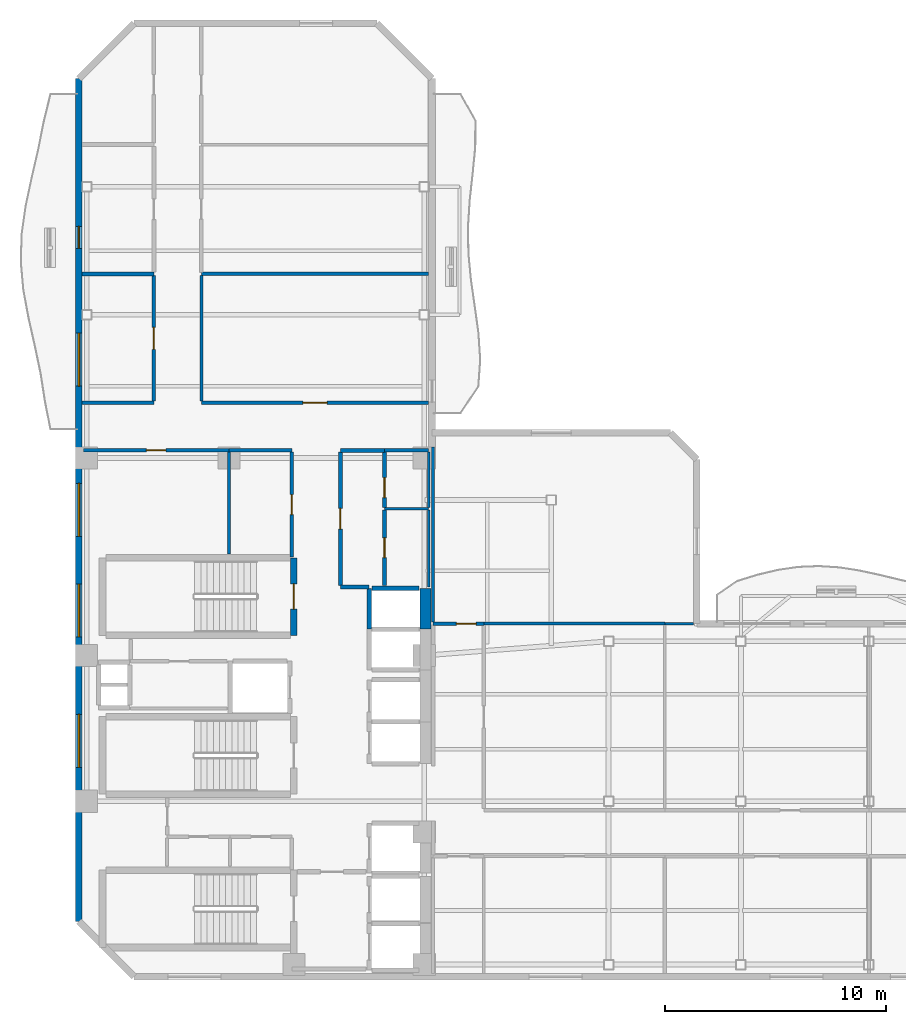
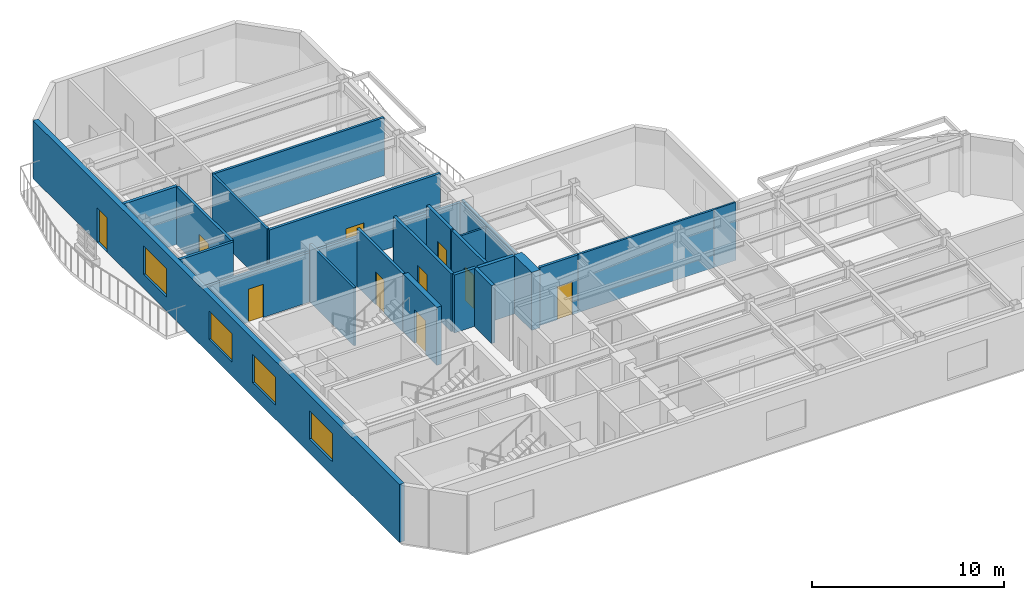
# One storey, part 4 of 9: 28 walls, 10 doors, 4 windows, 14 openings.
"""IFC4 building model written with IfcOpenShell, lengths in metres."""

import ifcopenshell
import ifcopenshell.guid

model = None  # the IFC model being written
_history = None  # IfcOwnerHistory: only IFC2X3 demands one
_inside = {}  # id of a spatial element -> (the spatial element, [elements in it])
_under = {}  # id of a project, library or spatial element -> (it, [spatial elements below it])
_declared = {}  # id of a project -> (the project, [libraries it declares])
_typed = {}  # id of a type object -> (the type object, [elements of that type])
_made_of = {}  # id of a material, layer set ... -> (it, [elements and type objects made of it])


def new_model(schema):
    """Start an empty IFC model of exactly this schema.

    Asked for "IFC4X3", IfcOpenShell would pick the latest addendum, in which some entities
    have other attributes; the version numbers below select the first issue.
    IFC2X3 requires an IfcOwnerHistory on every rooted entity: one is made here for all.
    """
    global model, _history
    if schema == "IFC4X3":
        model = ifcopenshell.file(schema_version=(4, 3, 0, 0))
    else:
        model = ifcopenshell.file(schema=schema)
    _inside.clear()
    _under.clear()
    _declared.clear()
    _typed.clear()
    _made_of.clear()
    _history = None
    if model.schema == "IFC2X3":
        org = make("IfcOrganization", Name="unknown")
        user = make(
            "IfcPersonAndOrganization",
            ThePerson=make("IfcPerson", FamilyName="unknown"),
            TheOrganization=org,
        )
        app = make(
            "IfcApplication",
            ApplicationDeveloper=org,
            Version="unknown",
            ApplicationFullName="unknown",
            ApplicationIdentifier="unknown",
        )
        _history = make(
            "IfcOwnerHistory",
            OwningUser=user,
            OwningApplication=app,
            ChangeAction="ADDED",
            CreationDate=0,
        )
    return model


def make(cls, **values):
    """One entity of the class cls with the attributes given. An attribute that is None is left unset."""
    return model.create_entity(
        cls, **{name: value for name, value in values.items() if value is not None}
    )


def rooted(cls, **values):
    """An entity with a GlobalId (a new one), such as an element, a storey or a relation."""
    return make(cls, GlobalId=ifcopenshell.guid.new(), OwnerHistory=_history, **values)


def si_unit(unit_type, name, prefix=None):
    """IfcSIUnit, for example si_unit("LENGTHUNIT", "METRE", prefix="MILLI")."""
    return make("IfcSIUnit", UnitType=unit_type, Prefix=prefix, Name=name)


def assignment(units):
    """IfcUnitAssignment: the units of a project."""
    return None if units is None else make("IfcUnitAssignment", Units=units)


def point(xyz):
    """IfcCartesianPoint."""
    return None if xyz is None else make("IfcCartesianPoint", Coordinates=xyz)


def direction(xyz):
    """IfcDirection."""
    return None if xyz is None else make("IfcDirection", DirectionRatios=xyz)


def frame(location, z_axis=None, x_axis=None):
    """IfcAxis2Placement3D, a coordinate frame: its origin and axes. An axis left out is left unset."""
    return make(
        "IfcAxis2Placement3D",
        Location=point(location),
        Axis=direction(z_axis),
        RefDirection=direction(x_axis),
    )


def frame_2d(location, x_axis=None):
    """IfcAxis2Placement2D, a coordinate frame in the plane: its origin and x axis."""
    return make(
        "IfcAxis2Placement2D", Location=point(location), RefDirection=direction(x_axis)
    )


def origin():
    """The frame at (0, 0, 0) with its axes left unset."""
    return frame((0.0, 0.0, 0.0))


def place(relative_to, where):
    """IfcLocalPlacement: puts the frame where relative to a parent placement (None: the world)."""
    return make(
        "IfcLocalPlacement", PlacementRelTo=relative_to, RelativePlacement=where
    )


def context(
    kind, dimensions, precision=None, world=None, true_north=None, identifier=None
):
    """IfcGeometricRepresentationContext, for example the 3D "Model" context."""
    return make(
        "IfcGeometricRepresentationContext",
        ContextIdentifier=identifier,
        ContextType=kind,
        CoordinateSpaceDimension=dimensions,
        Precision=precision,
        WorldCoordinateSystem=world,
        TrueNorth=true_north,
    )


def subcontext(parent, identifier, kind, view, scale=None):
    """IfcGeometricRepresentationSubContext, for example "Body" below "Model"."""
    return make(
        "IfcGeometricRepresentationSubContext",
        ContextIdentifier=identifier,
        ContextType=kind,
        ParentContext=parent,
        TargetScale=scale,
        TargetView=view,
    )


def project(units=None, contexts=None):
    """IfcProject with its units and contexts."""
    return rooted(
        "IfcProject",
        Name="project",
        RepresentationContexts=contexts,
        UnitsInContext=assignment(units),
    )


def spatial(cls, under=None, at=None, **own):
    """A site, building, storey or space (cls), placed at a placement, below another one or the project."""
    s = rooted(cls, ObjectPlacement=at, **own)
    if under is not None:
        _under.setdefault(under.id(), (under, []))[1].append(s)
    return s


def profile(cls, at=None, kind="AREA", **sizes):
    """A parametric profile (cls). Its sizes go by their IFC names, for example OverallWidth=200.0."""
    return make(cls, ProfileType=kind, Position=at, **sizes)


def rectangle(**sizes):
    """IfcRectangleProfileDef."""
    return profile("IfcRectangleProfileDef", **sizes)


def extrude(swept, where, along, depth):
    """IfcExtrudedAreaSolid: the profile swept, set in the frame where, extruded along a direction by depth."""
    return make(
        "IfcExtrudedAreaSolid",
        SweptArea=swept,
        Position=where,
        ExtrudedDirection=direction(along),
        Depth=depth,
    )


def shape(context_of_items, identifier, shape_type, items):
    """IfcShapeRepresentation: the items that make up one representation, for example the "Body"."""
    return make(
        "IfcShapeRepresentation",
        ContextOfItems=context_of_items,
        RepresentationIdentifier=identifier,
        RepresentationType=shape_type,
        Items=items,
    )


def material(Name=None, Category=None):
    """IfcMaterial."""
    return make("IfcMaterial", Name=Name, Category=Category)


def layer(
    of_material, thickness, ventilated=None, Name=None, Category=None, Priority=None
):
    """IfcMaterialLayer: one layer of a wall or slab, of a material (None: an air gap)."""
    return make(
        "IfcMaterialLayer",
        Material=of_material,
        LayerThickness=thickness,
        IsVentilated=ventilated,
        Name=Name,
        Category=Category,
        Priority=Priority,
    )


def layer_set(layers, Name=None):
    """IfcMaterialLayerSet."""
    return make("IfcMaterialLayerSet", MaterialLayers=layers, LayerSetName=Name)


def made_of(thing, what):
    """Note that an element or type object is made of a material, layer set ...; save() writes the relation."""
    if what is not None:
        _made_of.setdefault(what.id(), (what, []))[1].append(thing)
    return thing


def type_object(cls, material=None, **own):
    """A type object (cls), such as IfcWallType, which elements share."""
    return made_of(rooted(cls, **own), material)


def element(
    cls,
    number,
    at=None,
    inside=None,
    cuts=None,
    type_object=None,
    material=None,
    context=None,
    identifier="Body",
    shape_type=None,
    held_by="IfcProductDefinitionShape",
    body=None,
    shapes=None,
    **own,
):
    """One element of the class cls, such as IfcWall. Its Tag is "e" and its number.

    at: its placement. inside: the storey or other place that contains it. cuts: it is an
    opening in that element (IfcRelVoidsElement). A single representation is given by context,
    identifier, shape_type and body (its items); several are given by shapes. held_by: the class
    of the entity that holds the representations. save() writes the other relations.
    """
    e = rooted(cls, Tag="e%d" % number, ObjectPlacement=at, **own)
    if body is not None:
        shapes = [shape(context, identifier, shape_type, body)]
    if shapes is not None:
        e.Representation = make(held_by, Representations=shapes)
    if inside is not None:
        _inside.setdefault(inside.id(), (inside, []))[1].append(e)
    if cuts is not None:
        rooted(
            "IfcRelVoidsElement", RelatingBuildingElement=cuts, RelatedOpeningElement=e
        )
    if type_object is not None:
        _typed.setdefault(type_object.id(), (type_object, []))[1].append(e)
    return made_of(e, material)


def fill(opening, filler):
    """IfcRelFillsElement: the door or window that sits in an opening."""
    return rooted(
        "IfcRelFillsElement",
        RelatingOpeningElement=opening,
        RelatedBuildingElement=filler,
    )


def aggregate(whole, parts):
    """IfcRelAggregates: a whole, such as a stair, and the parts it consists of."""
    return rooted("IfcRelAggregates", RelatingObject=whole, RelatedObjects=parts)


def save(model, path):
    """Write the relations noted so far, then the file.

    IfcRelAggregates (storeys below a building ...), IfcRelContainedInSpatialStructure (elements
    in a storey), IfcRelDefinesByType, IfcRelAssociatesMaterial and IfcRelDeclares: one each for
    every whole, place, type object, material and project.
    """
    for whole, parts in _under.values():
        aggregate(whole, parts)
    for where, things in _inside.values():
        rooted(
            "IfcRelContainedInSpatialStructure",
            RelatedElements=things,
            RelatingStructure=where,
        )
    for kind, things in _typed.values():
        rooted("IfcRelDefinesByType", RelatedObjects=things, RelatingType=kind)
    for what, things in _made_of.values():
        rooted("IfcRelAssociatesMaterial", RelatedObjects=things, RelatingMaterial=what)
    for by, libraries in _declared.values():
        rooted("IfcRelDeclares", RelatingContext=by, RelatedDefinitions=libraries)
    model.write(path)


model = new_model("IFC4")

# Units and contexts
model_context = context("Model", 3, precision=1e-05, world=origin(), true_north=direction((0.0, 1.0)))
body_context = subcontext(model_context, "Body", "Model", "MODEL_VIEW")
ifc_project = project(units=[si_unit("LENGTHUNIT", "METRE"), si_unit("AREAUNIT", "SQUARE_METRE"), si_unit("VOLUMEUNIT", "CUBIC_METRE"), si_unit("PLANEANGLEUNIT", "RADIAN"), si_unit("MASSUNIT", "GRAM", prefix="KILO")], contexts=[model_context])

# Site, building, storey
site_placement = place(None, origin())
site = spatial("IfcSite", under=ifc_project, at=site_placement, CompositionType="ELEMENT")
building_placement = place(site_placement, origin())
building = spatial("IfcBuilding", under=site, at=building_placement, Name="Mawjaban Terraces University", CompositionType="ELEMENT")
storey_placement = place(building_placement, frame((0.0, 0.0, 179.699951171875)))
storey = spatial("IfcBuildingStorey", under=building, at=storey_placement, Name="L43", CompositionType="ELEMENT", Elevation=179.699951171875)

# Walls
ifc_material_1 = material(Name="Acoustic masonry blockwork", Category="masonry")
ifc_layer_1 = layer(ifc_material_1, 0.179931640625)
ifc_layer_set_1 = layer_set([ifc_layer_1], Name="Acoustic masonry blockwork")
wall_type_1 = type_object("IfcWallType", Name="AcousticStudioWall_180", PredefinedType="PARTITIONING", material=ifc_layer_set_1)
wall_1_placement = place(storey_placement, frame((25.39990234375, 31.85009765625, 0.0), z_axis=(0.0, 0.0, 1.0), x_axis=(-1.0, 0.0, 0.0)))
element("IfcWall", 1, at=wall_1_placement, inside=storey, type_object=wall_type_1, Name="L43 Classroom 8 Partition 4", PredefinedType="PARTITIONING", context=body_context, shape_type="SweptSolid", body=[
    extrude(rectangle(XDim=3.2548828125, YDim=0.179931640625, at=frame_2d((1.62744140625, 0.0))), origin(), (0.0, 0.0, 1.0), 3.68994140625),
])
wall_2_placement = place(storey_placement, frame((33.85009765625, 17.64990234375, 0.0), z_axis=(0.0, 0.0, 1.0), x_axis=(1.0, 0.0, 0.0)))
element("IfcWall", 2, at=wall_2_placement, inside=storey, type_object=wall_type_1, Name="L43 Graduate Research Collaboration Studio Partition 11", PredefinedType="PARTITIONING", context=body_context, shape_type="SweptSolid", body=[
    extrude(rectangle(XDim=1.2998046875, YDim=0.179931640625, at=frame_2d((0.64990234375, 0.0))), origin(), (0.0, 0.0, 1.0), 3.68994140625),
])
wall_3_placement = place(storey_placement, frame((35.85009765625, 23.85009765625, 0.0), z_axis=(0.0, 0.0, 1.0), x_axis=(-1.0, 0.0, 0.0)))
element("IfcWall", 3, at=wall_3_placement, inside=storey, type_object=wall_type_1, Name="L43 Graduate Research Collaboration Studio Partition 14", PredefinedType="PARTITIONING", context=body_context, shape_type="SweptSolid", body=[
    extrude(rectangle(XDim=2.0, YDim=0.179931640625, at=frame_2d((1.0, 0.0))), origin(), (0.0, 0.0, 1.0), 3.14599609375),
])

# Wall, opening, door
wall_4_placement = place(storey_placement, frame((33.85009765625, 17.735107421875, 0.0), z_axis=(0.0, 0.0, 1.0), x_axis=(0.0, 1.0, 0.0)))
wall_4 = element("IfcWall", 4, at=wall_4_placement, inside=storey, type_object=wall_type_1, Name="L43 Core North Lift Lobby Partition 42", PredefinedType="PARTITIONING", context=body_context, shape_type="SweptSolid", body=[
    extrude(rectangle(XDim=6.02978515625, YDim=0.179931640625, at=frame_2d((3.014892578125, 0.0))), origin(), (0.0, 0.0, 1.0), 3.68994140625),
])
opening_1_placement = place(wall_4_placement, frame((2.5400390625, 0.0, 0.0)))
opening_1 = element("IfcOpeningElement", 5, at=opening_1_placement, cuts=wall_4, Name="Opening ID-095", PredefinedType="OPENING", context=body_context, shape_type="SweptSolid", body=[
    extrude(rectangle(XDim=0.949951171875, YDim=2.10009765625, at=frame_2d((0.47509765625, 1.050048828125))), frame((0.0, 0.099853515625, 0.0), z_axis=(0.0, -1.0, 0.0), x_axis=(1.0, 0.0, 0.0)), (0.0, 0.0, 1.0), 0.199951171875),
])
ifc_material_2 = material(Name="Powder-coated steel frame and solid acoustic timber leaf", Category="steel")
door_type_1 = type_object("IfcDoorType", Name="StudioDoor_950x2100", OperationType="NOTDEFINED", PredefinedType="DOOR", material=ifc_material_2)
door_1_placement = place(opening_1_placement, origin())
door_1 = element("IfcDoor", 6, at=door_1_placement, inside=storey, type_object=door_type_1, Name="L43 Graduate Research Collaboration Studio Door", OperationType="SINGLE_SWING_RIGHT", OverallHeight=2.10009765625, OverallWidth=0.949951171875, PredefinedType="DOOR", context=body_context, shape_type="SweptSolid", body=[
    extrude(rectangle(XDim=0.949951171875, YDim=2.10009765625, at=frame_2d((0.47509765625, 1.050048828125))), frame((0.0, 0.02490234375, 0.0), z_axis=(0.0, -1.0, 0.0), x_axis=(1.0, 0.0, 0.0)), (0.0, 0.0, 1.0), 0.050048828125),
])
fill(opening_1, door_1)

wall_5_placement = place(storey_placement, frame((35.85009765625, 17.72998046875, 0.0), z_axis=(0.0, 0.0, 1.0), x_axis=(0.0, 1.0, 0.0)))
wall_5 = element("IfcWall", 7, at=wall_5_placement, inside=storey, type_object=wall_type_1, Name="L43 Graduate Research Collaboration Studio Partition 43", PredefinedType="PARTITIONING", context=body_context, shape_type="SweptSolid", body=[
    extrude(rectangle(XDim=3.412109375, YDim=0.179931640625, at=frame_2d((1.7060546875, 0.0))), origin(), (0.0, 0.0, 1.0), 3.68994140625),
])
opening_2_placement = place(wall_5_placement, frame((1.256103515625, 0.0, 0.0)))
opening_2 = element("IfcOpeningElement", 8, at=opening_2_placement, cuts=wall_5, Name="Opening ID-090", PredefinedType="OPENING", context=body_context, shape_type="SweptSolid", body=[
    extrude(rectangle(XDim=0.89990234375, YDim=2.10009765625, at=frame_2d((0.449951171875, 1.050048828125))), frame((0.0, 0.099853515625, 0.0), z_axis=(0.0, -1.0, 0.0), x_axis=(1.0, 0.0, 0.0)), (0.0, 0.0, 1.0), 0.199951171875),
])
door_type_2 = type_object("IfcDoorType", Name="OfficeDoor_900x2100", OperationType="NOTDEFINED", PredefinedType="DOOR", material=ifc_material_2)
door_2_placement = place(opening_2_placement, origin())
door_2 = element("IfcDoor", 9, at=door_2_placement, inside=storey, type_object=door_type_2, Name="L43 Research Instrument Store Door", OperationType="SINGLE_SWING_RIGHT", OverallHeight=2.10009765625, OverallWidth=0.89990234375, PredefinedType="DOOR", context=body_context, shape_type="SweptSolid", body=[
    extrude(rectangle(XDim=0.89990234375, YDim=2.10009765625, at=frame_2d((0.449951171875, 1.050048828125))), frame((0.0, 0.02490234375, 0.0), z_axis=(0.0, -1.0, 0.0), x_axis=(1.0, 0.0, 0.0)), (0.0, 0.0, 1.0), 0.050048828125),
])
fill(opening_2, door_2)

wall_6_placement = place(storey_placement, frame((35.85009765625, 21.258056640625, 0.0), z_axis=(0.0, 0.0, 1.0), x_axis=(0.0, 1.0, 0.0)))
wall_6 = element("IfcWall", 10, at=wall_6_placement, inside=storey, type_object=wall_type_1, Name="L43 Graduate Research Collaboration Studio Partition 44", PredefinedType="PARTITIONING", context=body_context, shape_type="SweptSolid", body=[
    extrude(rectangle(XDim=2.5068359375, YDim=0.179931640625, at=frame_2d((1.25341796875, 0.0))), origin(), (0.0, 0.0, 1.0), 3.68994140625),
])
opening_3_placement = place(wall_6_placement, frame((0.4541015625, 0.0, 0.0)))
opening_3 = element("IfcOpeningElement", 11, at=opening_3_placement, cuts=wall_6, Name="Opening ID-090", PredefinedType="OPENING", context=body_context, shape_type="SweptSolid", body=[
    extrude(rectangle(XDim=0.89990234375, YDim=2.10009765625, at=frame_2d((0.449951171875, 1.050048828125))), frame((0.0, 0.099853515625, 0.0), z_axis=(0.0, -1.0, 0.0), x_axis=(1.0, 0.0, 0.0)), (0.0, 0.0, 1.0), 0.199951171875),
])
door_3_placement = place(opening_3_placement, origin())
door_3 = element("IfcDoor", 12, at=door_3_placement, inside=storey, type_object=door_type_2, Name="L43 Graduate Quiet Study Alcove Door", OperationType="SINGLE_SWING_LEFT", OverallHeight=2.10009765625, OverallWidth=0.89990234375, PredefinedType="DOOR", context=body_context, shape_type="SweptSolid", body=[
    extrude(rectangle(XDim=0.89990234375, YDim=2.10009765625, at=frame_2d((0.449951171875, 1.050048828125))), frame((0.0, 0.02490234375, 0.0), z_axis=(0.0, -1.0, 0.0), x_axis=(1.0, 0.0, 0.0)), (0.0, 0.0, 1.0), 0.050048828125),
])
fill(opening_3, door_3)

# Walls
ifc_material_3 = material(Name="Concrete C60/75", Category="concrete")
ifc_layer_2 = layer(ifc_material_3, 0.5)
ifc_layer_set_2 = layer_set([ifc_layer_2], Name="Concrete C60/75")
wall_type_2 = type_object("IfcWallType", Name="CoreShearWall_500", PredefinedType="SHEAR", material=ifc_layer_set_2)
wall_7_placement = place(storey_placement, frame((37.699951171875, 15.75, 0.0), z_axis=(0.0, 0.0, 1.0), x_axis=(0.0, 1.0, 0.0)))
element("IfcWall", 13, at=wall_7_placement, inside=storey, type_object=wall_type_2, Name="L43 Lift OL-2 Hoistway Wall East", PredefinedType="SHEAR", context=body_context, shape_type="SweptSolid", body=[
    extrude(rectangle(XDim=1.85009765625, YDim=0.5, at=frame_2d((0.925048828125, 0.0))), origin(), (0.0, 0.0, 1.0), 3.68994140625),
])
ifc_material_4 = material(Name="Fire-rated gypsum board on steel stud", Category="steel")
ifc_layer_3 = layer(ifc_material_4, 0.159912109375)
ifc_layer_set_3 = layer_set([ifc_layer_3], Name="Fire-rated gypsum board on steel stud")
wall_type_3 = type_object("IfcWallType", Name="CorridorPartition_160", PredefinedType="PARTITIONING", material=ifc_layer_set_3)
wall_8_placement = place(storey_placement, frame((25.39990234375, 26.0, 0.0), z_axis=(0.0, 0.0, 1.0), x_axis=(-1.0, 0.0, 0.0)))
element("IfcWall", 14, at=wall_8_placement, inside=storey, type_object=wall_type_3, Name="L43 North Core Cross-Corridor Partition 3", PredefinedType="PARTITIONING", context=body_context, shape_type="SweptSolid", body=[
    extrude(rectangle(XDim=3.2548828125, YDim=0.159912109375, at=frame_2d((1.62744140625, 0.0))), origin(), (0.0, 0.0, 1.0), 3.68994140625),
])

# Wall, opening, door
wall_9_placement = place(storey_placement, frame((28.800048828125, 23.85009765625, 0.0), z_axis=(0.0, 0.0, 1.0), x_axis=(-1.0, 0.0, 0.0)))
wall_9 = element("IfcWall", 15, at=wall_9_placement, inside=storey, type_object=wall_type_3, Name="L43 Female Toilet Partition 7", PredefinedType="PARTITIONING", context=body_context, shape_type="SweptSolid", body=[
    extrude(rectangle(XDim=6.60009765625, YDim=0.159912109375, at=frame_2d((3.300048828125, 0.0))), origin(), (0.0, 0.0, 1.0), 3.14599609375),
])
opening_4_placement = place(wall_9_placement, frame((2.860107421875, 0.0, 0.0)))
opening_4 = element("IfcOpeningElement", 16, at=opening_4_placement, cuts=wall_9, Name="Opening ID-088", PredefinedType="OPENING", context=body_context, shape_type="SweptSolid", body=[
    extrude(rectangle(XDim=0.8798828125, YDim=2.10009765625, at=frame_2d((0.43994140625, 1.050048828125))), frame((0.0, 0.08984375, 0.0), z_axis=(0.0, -1.0, 0.0), x_axis=(1.0, 0.0, 0.0)), (0.0, 0.0, 1.0), 0.179931640625),
])
door_type_3 = type_object("IfcDoorType", Name="ToiletDoor_880x2100", OperationType="NOTDEFINED", PredefinedType="DOOR", material=ifc_material_2)
door_4_placement = place(opening_4_placement, origin())
door_4 = element("IfcDoor", 17, at=door_4_placement, inside=storey, type_object=door_type_3, Name="L43 Female Toilet Door", OperationType="SINGLE_SWING_RIGHT", OverallHeight=2.10009765625, OverallWidth=0.8798828125, PredefinedType="DOOR", context=body_context, shape_type="SweptSolid", body=[
    extrude(rectangle(XDim=0.8798828125, YDim=2.10009765625, at=frame_2d((0.43994140625, 1.050048828125))), frame((0.0, 0.02490234375, 0.0), z_axis=(0.0, -1.0, 0.0), x_axis=(1.0, 0.0, 0.0)), (0.0, 0.0, 1.0), 0.050048828125),
])
fill(opening_4, door_4)

# Walls
wall_10_placement = place(storey_placement, frame((31.64990234375, 23.85009765625, 0.0), z_axis=(0.0, 0.0, 1.0), x_axis=(-1.0, 0.0, 0.0)))
element("IfcWall", 18, at=wall_10_placement, inside=storey, type_object=wall_type_3, Name="L43 Faculty Academic Resource Office Partition 10", PredefinedType="PARTITIONING", context=body_context, shape_type="SweptSolid", body=[
    extrude(rectangle(XDim=2.849853515625, YDim=0.159912109375, at=frame_2d((1.4248046875, 0.0))), origin(), (0.0, 0.0, 1.0), 3.14599609375),
])
wall_11_placement = place(storey_placement, frame((37.85009765625, 23.85009765625, 0.0), z_axis=(0.0, 0.0, 1.0), x_axis=(-1.0, 0.0, 0.0)))
element("IfcWall", 19, at=wall_11_placement, inside=storey, type_object=wall_type_3, Name="L43 Graduate Quiet Study Alcove Partition 15", PredefinedType="PARTITIONING", context=body_context, shape_type="SweptSolid", body=[
    extrude(rectangle(XDim=2.0, YDim=0.159912109375, at=frame_2d((1.0, 0.0))), origin(), (0.0, 0.0, 1.0), 3.14599609375),
])

# Wall, opening, door
wall_12_placement = place(storey_placement, frame((37.85009765625, 26.0, 0.0), z_axis=(0.0, 0.0, 1.0), x_axis=(-1.0, 0.0, 0.0)))
wall_12 = element("IfcWall", 20, at=wall_12_placement, inside=storey, type_object=wall_type_3, Name="L43 North Core Cross-Corridor Partition 16", PredefinedType="PARTITIONING", context=body_context, shape_type="SweptSolid", body=[
    extrude(rectangle(XDim=10.300048828125, YDim=0.159912109375, at=frame_2d((5.14990234375, 0.0))), origin(), (0.0, 0.0, 1.0), 3.68994140625),
])
opening_5_placement = place(wall_12_placement, frame((4.60009765625, 0.0, 0.0)))
opening_5 = element("IfcOpeningElement", 21, at=opening_5_placement, cuts=wall_12, Name="Opening ID-110", PredefinedType="OPENING", context=body_context, shape_type="SweptSolid", body=[
    extrude(rectangle(XDim=1.10009765625, YDim=2.14990234375, at=frame_2d((0.550048828125, 1.074951171875))), frame((0.0, 0.08984375, 0.0), z_axis=(0.0, -1.0, 0.0), x_axis=(1.0, 0.0, 0.0)), (0.0, 0.0, 1.0), 0.179931640625),
])
door_type_4 = type_object("IfcDoorType", Name="LabDoor_1100x2150", OperationType="NOTDEFINED", PredefinedType="DOOR", material=ifc_material_2)
door_5_placement = place(opening_5_placement, origin())
door_5 = element("IfcDoor", 22, at=door_5_placement, inside=storey, type_object=door_type_4, Name="L43 Computational Laboratory 9 Door", OperationType="SINGLE_SWING_LEFT", OverallHeight=2.14990234375, OverallWidth=1.10009765625, PredefinedType="DOOR", context=body_context, shape_type="SweptSolid", body=[
    extrude(rectangle(XDim=1.10009765625, YDim=2.14990234375, at=frame_2d((0.550048828125, 1.074951171875))), frame((0.0, 0.02490234375, 0.0), z_axis=(0.0, -1.0, 0.0), x_axis=(1.0, 0.0, 0.0)), (0.0, 0.0, 1.0), 0.050048828125),
])
fill(opening_5, door_5)

wall_13_placement = place(storey_placement, frame((40.35009765625, 16.0, 0.0), z_axis=(0.0, 0.0, 1.0), x_axis=(-1.0, 0.0, 0.0)))
wall_13 = element("IfcWall", 23, at=wall_13_placement, inside=storey, type_object=wall_type_3, Name="L43 South Spine Spur Link Partition 21", PredefinedType="PARTITIONING", context=body_context, shape_type="SweptSolid", body=[
    extrude(rectangle(XDim=2.300048828125, YDim=0.159912109375, at=frame_2d((1.14990234375, 0.0))), origin(), (0.0, 0.0, 1.0), 3.68994140625),
])
opening_6_placement = place(wall_13_placement, frame((0.35009765625, 0.0, 0.0)))
opening_6 = element("IfcOpeningElement", 24, at=opening_6_placement, cuts=wall_13, Name="Opening ID-090", PredefinedType="OPENING", context=body_context, shape_type="SweptSolid", body=[
    extrude(rectangle(XDim=0.89990234375, YDim=2.10009765625, at=frame_2d((0.449951171875, 1.050048828125))), frame((0.0, 0.08984375, 0.0), z_axis=(0.0, -1.0, 0.0), x_axis=(1.0, 0.0, 0.0)), (0.0, 0.0, 1.0), 0.179931640625),
])
door_6_placement = place(opening_6_placement, origin())
door_6 = element("IfcDoor", 25, at=door_6_placement, inside=storey, type_object=door_type_2, Name="L43 Terrace Collaborative Study Room Door", OperationType="SINGLE_SWING_RIGHT", OverallHeight=2.10009765625, OverallWidth=0.89990234375, PredefinedType="DOOR", context=body_context, shape_type="SweptSolid", body=[
    extrude(rectangle(XDim=0.89990234375, YDim=2.10009765625, at=frame_2d((0.449951171875, 1.050048828125))), frame((0.0, 0.02490234375, 0.0), z_axis=(0.0, -1.0, 0.0), x_axis=(1.0, 0.0, 0.0)), (0.0, 0.0, 1.0), 0.050048828125),
])
fill(opening_6, door_6)

wall_14_placement = place(storey_placement, frame((25.39990234375, 31.764892578125, 0.0), z_axis=(0.0, 0.0, 1.0), x_axis=(0.0, -1.0, 0.0)))
wall_14 = element("IfcWall", 26, at=wall_14_placement, inside=storey, type_object=wall_type_3, Name="L43 West Shifted Academic Corridor Partition 30", PredefinedType="PARTITIONING", context=body_context, shape_type="SweptSolid", body=[
    extrude(rectangle(XDim=5.68994140625, YDim=0.159912109375, at=frame_2d((2.844970703125, 0.0))), origin(), (0.0, 0.0, 1.0), 3.68994140625),
])
opening_7_placement = place(wall_14_placement, frame((2.344970703125, 0.0, 0.0)))
opening_7 = element("IfcOpeningElement", 27, at=opening_7_placement, cuts=wall_14, Name="Opening ID-100", PredefinedType="OPENING", context=body_context, shape_type="SweptSolid", body=[
    extrude(rectangle(XDim=1.0, YDim=2.10009765625, at=frame_2d((0.5, 1.050048828125))), frame((0.0, 0.08984375, 0.0), z_axis=(0.0, -1.0, 0.0), x_axis=(1.0, 0.0, 0.0)), (0.0, 0.0, 1.0), 0.179931640625),
])
door_type_5 = type_object("IfcDoorType", Name="ClassroomDoor_1000x2100", OperationType="NOTDEFINED", PredefinedType="DOOR", material=ifc_material_2)
door_7_placement = place(opening_7_placement, origin())
door_7 = element("IfcDoor", 28, at=door_7_placement, inside=storey, type_object=door_type_5, Name="L43 Classroom 8 Door", OperationType="SINGLE_SWING_RIGHT", OverallHeight=2.10009765625, OverallWidth=1.0, PredefinedType="DOOR", context=body_context, shape_type="SweptSolid", body=[
    extrude(rectangle(XDim=1.0, YDim=2.10009765625, at=frame_2d((0.5, 1.050048828125))), frame((0.0, 0.02490234375, 0.0), z_axis=(0.0, -1.0, 0.0), x_axis=(1.0, 0.0, 0.0)), (0.0, 0.0, 1.0), 0.050048828125),
])
fill(opening_7, door_7)

wall_15_placement = place(storey_placement, frame((31.64990234375, 19.010009765625, 0.0), z_axis=(0.0, 0.0, 1.0), x_axis=(0.0, 1.0, 0.0)))
wall_15 = element("IfcWall", 29, at=wall_15_placement, inside=storey, type_object=wall_type_3, Name="L43 Faculty Academic Resource Office Partition 41", PredefinedType="PARTITIONING", context=body_context, shape_type="SweptSolid", body=[
    extrude(rectangle(XDim=4.764892578125, YDim=0.159912109375, at=frame_2d((2.38232421875, 0.0))), origin(), (0.0, 0.0, 1.0), 3.68994140625),
])
opening_8_placement = place(wall_15_placement, frame((1.931884765625, 0.0, 0.0)))
opening_8 = element("IfcOpeningElement", 30, at=opening_8_placement, cuts=wall_15, Name="Opening ID-090", PredefinedType="OPENING", context=body_context, shape_type="SweptSolid", body=[
    extrude(rectangle(XDim=0.89990234375, YDim=2.10009765625, at=frame_2d((0.449951171875, 1.050048828125))), frame((0.0, 0.08984375, 0.0), z_axis=(0.0, -1.0, 0.0), x_axis=(1.0, 0.0, 0.0)), (0.0, 0.0, 1.0), 0.179931640625),
])
door_8_placement = place(opening_8_placement, origin())
door_8 = element("IfcDoor", 31, at=door_8_placement, inside=storey, type_object=door_type_2, Name="L43 Faculty Academic Resource Office Door", OperationType="SINGLE_SWING_LEFT", OverallHeight=2.10009765625, OverallWidth=0.89990234375, PredefinedType="DOOR", context=body_context, shape_type="SweptSolid", body=[
    extrude(rectangle(XDim=0.89990234375, YDim=2.10009765625, at=frame_2d((0.449951171875, 1.050048828125))), frame((0.0, 0.02490234375, 0.0), z_axis=(0.0, -1.0, 0.0), x_axis=(1.0, 0.0, 0.0)), (0.0, 0.0, 1.0), 0.050048828125),
])
fill(opening_8, door_8)

# Wall, openings, door, windows
ifc_material_5 = material(Name="Insulated terracotta rainscreen on concrete backup C40/50", Category="masonry")
ifc_layer_4 = layer(ifc_material_5, 0.300048828125)
ifc_layer_set_4 = layer_set([ifc_layer_4], Name="Insulated terracotta rainscreen on concrete backup C40/50")
wall_type_4 = type_object("IfcWallType", Name="ExtTerracottaWall_300", PredefinedType="SOLIDWALL", material=ifc_layer_set_4)
wall_16_placement = place(storey_placement, frame((22.0, 40.699951171875, 0.0), z_axis=(0.0, 0.0, 1.0), x_axis=(0.0, -1.0, 0.0)))
wall_16 = element("IfcWall", 32, at=wall_16_placement, inside=storey, type_object=wall_type_4, Name="L43 Exterior Terracotta Wall 13", PredefinedType="SOLIDWALL", context=body_context, shape_type="SweptSolid", body=[
    extrude(rectangle(XDim=38.199951171875, YDim=0.300048828125, at=frame_2d((19.10009765625, 0.0))), origin(), (0.0, 0.0, 1.0), 3.68994140625),
])
opening_9_placement = place(wall_16_placement, frame((6.699951171875, 0.0, 0.0)))
opening_9 = element("IfcOpeningElement", 33, at=opening_9_placement, cuts=wall_16, Name="Opening BD-100", PredefinedType="OPENING", context=body_context, shape_type="SweptSolid", body=[
    extrude(rectangle(XDim=1.0, YDim=2.199951171875, at=frame_2d((0.5, 1.10009765625))), frame((0.0, 0.159912109375, 0.0), z_axis=(0.0, -1.0, 0.0), x_axis=(1.0, 0.0, 0.0)), (0.0, 0.0, 1.0), 0.320068359375),
])
opening_10_placement = place(wall_16_placement, frame((11.54296875, 0.0, 0.89990234375)))
opening_10 = element("IfcOpeningElement", 34, at=opening_10_placement, cuts=wall_16, Name="Opening W-08", PredefinedType="OPENING", context=body_context, shape_type="SweptSolid", body=[
    extrude(rectangle(XDim=2.39990234375, YDim=1.800048828125, at=frame_2d((1.199951171875, 0.89990234375))), frame((0.0, 0.159912109375, 0.0), z_axis=(0.0, -1.0, 0.0), x_axis=(1.0, 0.0, 0.0)), (0.0, 0.0, 1.0), 0.320068359375),
])
opening_11_placement = place(wall_16_placement, frame((18.35009765625, 0.0, 0.89990234375)))
opening_11 = element("IfcOpeningElement", 35, at=opening_11_placement, cuts=wall_16, Name="Opening W-08", PredefinedType="OPENING", context=body_context, shape_type="SweptSolid", body=[
    extrude(rectangle(XDim=2.39990234375, YDim=1.800048828125, at=frame_2d((1.199951171875, 0.89990234375))), frame((0.0, 0.159912109375, 0.0), z_axis=(0.0, -1.0, 0.0), x_axis=(1.0, 0.0, 0.0)), (0.0, 0.0, 1.0), 0.320068359375),
])
opening_12_placement = place(wall_16_placement, frame((22.906982421875, 0.0, 0.89990234375)))
opening_12 = element("IfcOpeningElement", 36, at=opening_12_placement, cuts=wall_16, Name="Opening W-08", PredefinedType="OPENING", context=body_context, shape_type="SweptSolid", body=[
    extrude(rectangle(XDim=2.39990234375, YDim=1.800048828125, at=frame_2d((1.199951171875, 0.89990234375))), frame((0.0, 0.159912109375, 0.0), z_axis=(0.0, -1.0, 0.0), x_axis=(1.0, 0.0, 0.0)), (0.0, 0.0, 1.0), 0.320068359375),
])
opening_13_placement = place(wall_16_placement, frame((28.81396484375, 0.0, 0.89990234375)))
opening_13 = element("IfcOpeningElement", 37, at=opening_13_placement, cuts=wall_16, Name="Opening W-08", PredefinedType="OPENING", context=body_context, shape_type="SweptSolid", body=[
    extrude(rectangle(XDim=2.39990234375, YDim=1.800048828125, at=frame_2d((1.199951171875, 0.89990234375))), frame((0.0, 0.159912109375, 0.0), z_axis=(0.0, -1.0, 0.0), x_axis=(1.0, 0.0, 0.0)), (0.0, 0.0, 1.0), 0.320068359375),
])
ifc_material_6 = material(Name="Thermally broken anodised aluminium and laminated safety glass", Category="aluminium")
door_type_6 = type_object("IfcDoorType", Name="BalconyGlazedDoor_1000x2200", OperationType="NOTDEFINED", PredefinedType="DOOR", material=ifc_material_6)
door_9_placement = place(opening_9_placement, origin())
door_9 = element("IfcDoor", 38, at=door_9_placement, inside=storey, type_object=door_type_6, Name="L43 Balcony Access Door west", OperationType="SINGLE_SWING_RIGHT", OverallHeight=2.199951171875, OverallWidth=1.0, PredefinedType="DOOR", context=body_context, shape_type="SweptSolid", body=[
    extrude(rectangle(XDim=1.0, YDim=2.199951171875, at=frame_2d((0.5, 1.10009765625))), frame((0.0, 0.02490234375, 0.0), z_axis=(0.0, -1.0, 0.0), x_axis=(1.0, 0.0, 0.0)), (0.0, 0.0, 1.0), 0.050048828125),
])
fill(opening_9, door_9)
ifc_material_7 = material(Name="Low-E solar-control double glazing in thermally broken aluminium frame", Category="aluminium")
window_type = type_object("IfcWindowType", Name="Win_2400x1800", PartitioningType="SINGLE_PANEL", PredefinedType="WINDOW", material=ifc_material_7)
window_1_placement = place(opening_10_placement, origin())
window_1 = element("IfcWindow", 39, at=window_1_placement, inside=storey, type_object=window_type, Name="L43 Facade Window 13.3", OverallHeight=1.800048828125, OverallWidth=2.39990234375, PartitioningType="SINGLE_PANEL", PredefinedType="WINDOW", context=body_context, shape_type="SweptSolid", body=[
    extrude(rectangle(XDim=2.39990234375, YDim=1.800048828125, at=frame_2d((1.199951171875, 0.89990234375))), frame((0.0, 0.030029296875, 0.0), z_axis=(0.0, -1.0, 0.0), x_axis=(1.0, 0.0, 0.0)), (0.0, 0.0, 1.0), 0.06005859375),
])
fill(opening_10, window_1)
window_2_placement = place(opening_11_placement, origin())
window_2 = element("IfcWindow", 40, at=window_2_placement, inside=storey, type_object=window_type, Name="L43 Facade Window 13.4", OverallHeight=1.800048828125, OverallWidth=2.39990234375, PartitioningType="SINGLE_PANEL", PredefinedType="WINDOW", context=body_context, shape_type="SweptSolid", body=[
    extrude(rectangle(XDim=2.39990234375, YDim=1.800048828125, at=frame_2d((1.199951171875, 0.89990234375))), frame((0.0, 0.030029296875, 0.0), z_axis=(0.0, -1.0, 0.0), x_axis=(1.0, 0.0, 0.0)), (0.0, 0.0, 1.0), 0.06005859375),
])
fill(opening_11, window_2)
window_3_placement = place(opening_12_placement, origin())
window_3 = element("IfcWindow", 41, at=window_3_placement, inside=storey, type_object=window_type, Name="L43 Facade Window 13.5", OverallHeight=1.800048828125, OverallWidth=2.39990234375, PartitioningType="SINGLE_PANEL", PredefinedType="WINDOW", context=body_context, shape_type="SweptSolid", body=[
    extrude(rectangle(XDim=2.39990234375, YDim=1.800048828125, at=frame_2d((1.199951171875, 0.89990234375))), frame((0.0, 0.030029296875, 0.0), z_axis=(0.0, -1.0, 0.0), x_axis=(1.0, 0.0, 0.0)), (0.0, 0.0, 1.0), 0.06005859375),
])
fill(opening_12, window_3)
window_4_placement = place(opening_13_placement, origin())
window_4 = element("IfcWindow", 42, at=window_4_placement, inside=storey, type_object=window_type, Name="L43 Facade Window 13.6", OverallHeight=1.800048828125, OverallWidth=2.39990234375, PartitioningType="SINGLE_PANEL", PredefinedType="WINDOW", context=body_context, shape_type="SweptSolid", body=[
    extrude(rectangle(XDim=2.39990234375, YDim=1.800048828125, at=frame_2d((1.199951171875, 0.89990234375))), frame((0.0, 0.030029296875, 0.0), z_axis=(0.0, -1.0, 0.0), x_axis=(1.0, 0.0, 0.0)), (0.0, 0.0, 1.0), 0.06005859375),
])
fill(opening_13, window_4)

# Walls
ifc_material_8 = material(Name="Concrete C40/50", Category="concrete")
ifc_layer_5 = layer(ifc_material_8, 0.199951171875)
ifc_layer_set_5 = layer_set([ifc_layer_5], Name="Concrete C40/50")
wall_type_5 = type_object("IfcWallType", Name="FireLobbyWall_200", PredefinedType="SOLIDWALL", material=ifc_layer_set_5)
wall_17_placement = place(storey_placement, frame((35.14990234375, 17.60009765625, 0.0), z_axis=(0.0, 0.0, 1.0), x_axis=(0.0, -1.0, 0.0)))
element("IfcWall", 43, at=wall_17_placement, inside=storey, type_object=wall_type_5, Name="L43 Lift OL-2 Hoistway Wall West", PredefinedType="SOLIDWALL", context=body_context, shape_type="SweptSolid", body=[
    extrude(rectangle(XDim=1.85009765625, YDim=0.199951171875, at=frame_2d((0.925048828125, 0.0))), origin(), (0.0, 0.0, 1.0), 3.68994140625),
])
wall_18_placement = place(storey_placement, frame((37.419921875, 17.60009765625, 0.0), z_axis=(0.0, 0.0, 1.0), x_axis=(-1.0, 0.0, 0.0)))
element("IfcWall", 44, at=wall_18_placement, inside=storey, type_object=wall_type_5, Name="L43 Lift OL-2 Hoistway Wall North", PredefinedType="SOLIDWALL", context=body_context, shape_type="SweptSolid", body=[
    extrude(rectangle(XDim=2.139892578125, YDim=0.199951171875, at=frame_2d((1.06982421875, 0.0))), origin(), (0.0, 0.0, 1.0), 3.68994140625),
])
ifc_material_9 = material(Name="Moisture-resistant gypsum board on steel stud", Category="steel")
ifc_layer_6 = layer(ifc_material_9, 0.14501953125)
ifc_layer_set_6 = layer_set([ifc_layer_6], Name="Moisture-resistant gypsum board on steel stud")
wall_type_6 = type_object("IfcWallType", Name="LabPartition_145", PredefinedType="PARTITIONING", material=ifc_layer_set_6)
wall_19_placement = place(storey_placement, frame((37.85009765625, 31.85009765625, 0.0), z_axis=(0.0, 0.0, 1.0), x_axis=(-1.0, 0.0, 0.0)))
element("IfcWall", 45, at=wall_19_placement, inside=storey, type_object=wall_type_6, Name="L43 Computational Laboratory 9 Partition 17", PredefinedType="PARTITIONING", context=body_context, shape_type="SweptSolid", body=[
    extrude(rectangle(XDim=10.300048828125, YDim=0.14501953125, at=frame_2d((5.14990234375, 0.0))), origin(), (0.0, 0.0, 1.0), 3.68994140625),
])
wall_20_placement = place(storey_placement, frame((27.550048828125, 26.074951171875, 0.0), z_axis=(0.0, 0.0, 1.0), x_axis=(0.0, 1.0, 0.0)))
element("IfcWall", 46, at=wall_20_placement, inside=storey, type_object=wall_type_6, Name="L43 West Shifted Academic Corridor Partition 35", PredefinedType="PARTITIONING", context=body_context, shape_type="SweptSolid", body=[
    extrude(rectangle(XDim=5.7080078125, YDim=0.14501953125, at=frame_2d((2.85400390625, 0.0))), origin(), (0.0, 0.0, 1.0), 3.68994140625),
])
ifc_material_10 = material(Name="Gypsum plasterboard on steel stud", Category="steel")
ifc_layer_7 = layer(ifc_material_10, 0.125)
ifc_layer_set_7 = layer_set([ifc_layer_7], Name="Gypsum plasterboard on steel stud")
wall_type_7 = type_object("IfcWallType", Name="OfficePartition_125", PredefinedType="PARTITIONING", material=ifc_layer_set_7)
wall_21_placement = place(storey_placement, frame((35.85009765625, 21.199951171875, 0.0), z_axis=(0.0, 0.0, 1.0), x_axis=(1.0, 0.0, 0.0)))
element("IfcWall", 47, at=wall_21_placement, inside=storey, type_object=wall_type_7, Name="L43 Graduate Quiet Study Alcove Partition 13", PredefinedType="PARTITIONING", context=body_context, shape_type="SweptSolid", body=[
    extrude(rectangle(XDim=2.0, YDim=0.125, at=frame_2d((1.0, 0.0))), origin(), (0.0, 0.0, 1.0), 3.14599609375),
])
wall_22_placement = place(storey_placement, frame((48.550048828125, 16.0, 0.0), z_axis=(0.0, 0.0, 1.0), x_axis=(-1.0, 0.0, 0.0)))
element("IfcWall", 48, at=wall_22_placement, inside=storey, type_object=wall_type_7, Name="L43 Classroom 3 Partition 25", PredefinedType="PARTITIONING", context=body_context, shape_type="SweptSolid", body=[
    extrude(rectangle(XDim=8.199951171875, YDim=0.125, at=frame_2d((4.10009765625, 0.0))), origin(), (0.0, 0.0, 1.0), 3.68994140625),
])
wall_23_placement = place(storey_placement, frame((37.85009765625, 17.64990234375, 0.0), z_axis=(0.0, 0.0, 1.0), x_axis=(0.0, 1.0, 0.0)))
element("IfcWall", 49, at=wall_23_placement, inside=storey, type_object=wall_type_7, Name="L43 Research Instrument Store Partition 45", PredefinedType="PARTITIONING", context=body_context, shape_type="SweptSolid", body=[
    extrude(rectangle(XDim=3.4921875, YDim=0.125, at=frame_2d((1.74609375, 0.0))), origin(), (0.0, 0.0, 1.0), 3.14599609375),
])
wall_24_placement = place(storey_placement, frame((37.85009765625, 21.258056640625, 0.0), z_axis=(0.0, 0.0, 1.0), x_axis=(0.0, 1.0, 0.0)))
element("IfcWall", 50, at=wall_24_placement, inside=storey, type_object=wall_type_7, Name="L43 Graduate Quiet Study Alcove Partition 46", PredefinedType="PARTITIONING", context=body_context, shape_type="SweptSolid", body=[
    extrude(rectangle(XDim=2.516845703125, YDim=0.125, at=frame_2d((1.25830078125, 0.0))), origin(), (0.0, 0.0, 1.0), 3.14599609375),
])
wall_25_placement = place(storey_placement, frame((38.050048828125, 24.0, 0.0), z_axis=(0.0, 0.0, 1.0), x_axis=(0.0, -1.0, 0.0)))
element("IfcWall", 51, at=wall_25_placement, inside=storey, type_object=wall_type_7, Name="L43 Terrace Collaborative Study Room Partition 50", PredefinedType="PARTITIONING", context=body_context, shape_type="SweptSolid", body=[
    extrude(rectangle(XDim=7.925048828125, YDim=0.125, at=frame_2d((3.96240234375, 0.0))), origin(), (0.0, 0.0, 1.0), 3.14599609375),
])
ifc_material_11 = material(Name="Acoustic operable panel partition", Category="masonry")
ifc_layer_8 = layer(ifc_material_11, 0.110107421875)
ifc_layer_set_8 = layer_set([ifc_layer_8], Name="Acoustic operable panel partition")
wall_type_8 = type_object("IfcWallType", Name="OperableSeminarWall_110", PredefinedType="MOVABLE", material=ifc_layer_set_8)
wall_26_placement = place(storey_placement, frame((48.550048828125, 16.0, 0.0), z_axis=(0.0, 0.0, 1.0), x_axis=(1.0, 0.0, 0.0)))
element("IfcWall", 52, at=wall_26_placement, inside=storey, type_object=wall_type_8, Name="L43 Terrace Collaborative Study Room Partition 24", PredefinedType="MOVABLE", context=body_context, shape_type="SweptSolid", body=[
    extrude(rectangle(XDim=1.304931640625, YDim=0.110107421875, at=frame_2d((0.65234375, 0.0))), origin(), (0.0, 0.0, 1.0), 3.68994140625),
])

# Wall, opening, door
ifc_layer_9 = layer(ifc_material_3, 0.300048828125)
ifc_layer_set_9 = layer_set([ifc_layer_9], Name="Concrete C60/75")
wall_type_9 = type_object("IfcWallType", Name="StairShaftWall_300", PredefinedType="SHEAR", material=ifc_layer_set_9)
wall_27_placement = place(storey_placement, frame((31.72998046875, 15.469970703125, 0.0), z_axis=(0.0, 0.0, 1.0), x_axis=(0.0, 1.0, 0.0)))
wall_27 = element("IfcWall", 53, at=wall_27_placement, inside=storey, type_object=wall_type_9, Name="L43 ST-2 Stair Shaft Wall 4", PredefinedType="SHEAR", context=body_context, shape_type="SweptSolid", body=[
    extrude(rectangle(XDim=3.510009765625, YDim=0.300048828125, at=frame_2d((1.7548828125, 0.0))), origin(), (0.0, 0.0, 1.0), 3.68994140625),
])
opening_14_placement = place(wall_27_placement, frame((1.179931640625, 0.0, 0.0)))
opening_14 = element("IfcOpeningElement", 54, at=opening_14_placement, cuts=wall_27, Name="Opening FD-115", PredefinedType="OPENING", context=body_context, shape_type="SweptSolid", body=[
    extrude(rectangle(XDim=1.14990234375, YDim=2.14990234375, at=frame_2d((0.574951171875, 1.074951171875))), frame((0.0, 0.159912109375, 0.0), z_axis=(0.0, -1.0, 0.0), x_axis=(1.0, 0.0, 0.0)), (0.0, 0.0, 1.0), 0.320068359375),
])
ifc_material_12 = material(Name="Powder-coated steel frame and fire-rated steel-faced leaf", Category="steel")
door_type_7 = type_object("IfcDoorType", Name="FireStairDoor_1150x2150", OperationType="NOTDEFINED", PredefinedType="DOOR", material=ifc_material_12)
door_10_placement = place(opening_14_placement, origin())
door_10 = element("IfcDoor", 55, at=door_10_placement, inside=storey, type_object=door_type_7, Name="L43 ST-2 Pressurised Stair Fire Door", OperationType="SINGLE_SWING_LEFT", OverallHeight=2.14990234375, OverallWidth=1.14990234375, PredefinedType="DOOR", context=body_context, shape_type="SweptSolid", body=[
    extrude(rectangle(XDim=1.14990234375, YDim=2.14990234375, at=frame_2d((0.574951171875, 1.074951171875))), frame((0.0, 0.02490234375, 0.0), z_axis=(0.0, -1.0, 0.0), x_axis=(1.0, 0.0, 0.0)), (0.0, 0.0, 1.0), 0.050048828125),
])
fill(opening_14, door_10)

# Wall
ifc_material_13 = material(Name="Cement-board wet-room partition", Category="masonry")
ifc_layer_10 = layer(ifc_material_13, 0.135009765625)
ifc_layer_set_10 = layer_set([ifc_layer_10], Name="Cement-board wet-room partition")
wall_type_10 = type_object("IfcWallType", Name="WetRoomPartition_135", PredefinedType="PARTITIONING", material=ifc_layer_set_10)
wall_28_placement = place(storey_placement, frame((28.800048828125, 23.77490234375, 0.0), z_axis=(0.0, 0.0, 1.0), x_axis=(0.0, -1.0, 0.0)))
element("IfcWall", 56, at=wall_28_placement, inside=storey, type_object=wall_type_10, Name="L43 Faculty Academic Resource Office Partition 38", PredefinedType="PARTITIONING", context=body_context, shape_type="SweptSolid", body=[
    extrude(rectangle(XDim=4.614990234375, YDim=0.135009765625, at=frame_2d((2.3076171875, 0.0))), origin(), (0.0, 0.0, 1.0), 3.68994140625),
])

save(model, "model.ifc")
